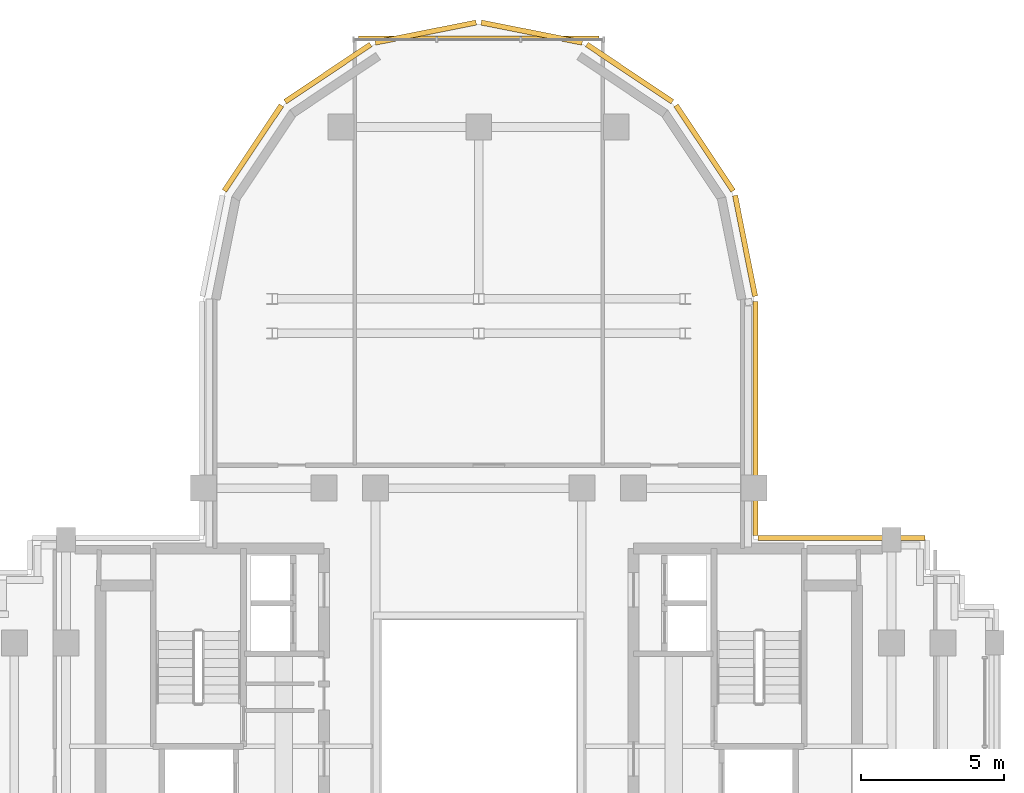
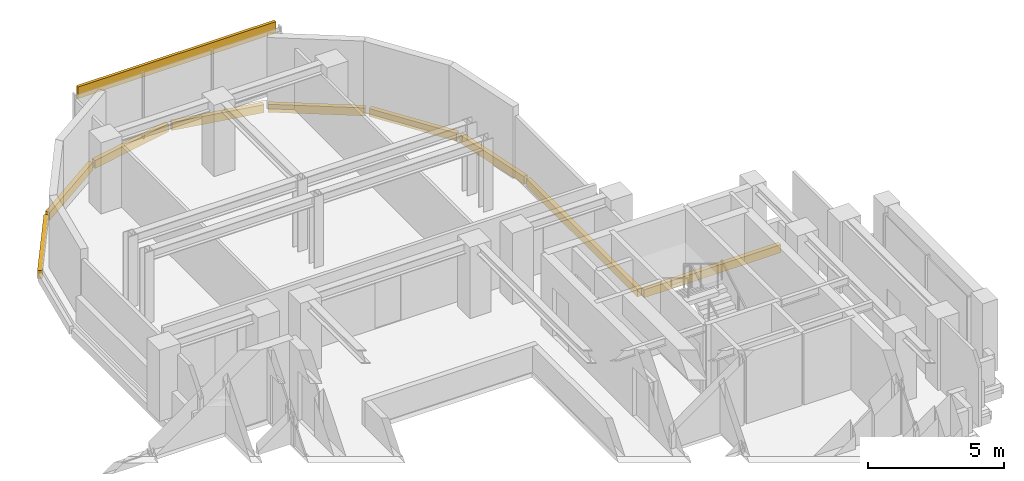
# One storey, part 11 of 11: 10 coverings.
"""IFC4 building model written with IfcOpenShell, lengths in metres."""

from ifc_helpers import new_model, si_unit, direction, frame, origin, origin_2d, place, context, subcontext, project, spatial, rectangle, extrude, source, transform, mapped, material, layer, layer_set, type_object, element, save


model = new_model("IFC4")

# Units and contexts
model_context = context("Model", 3, precision=1e-05, world=origin(), true_north=direction((0.0, 1.0)))
body_context = subcontext(model_context, "Body", "Model", "MODEL_VIEW")
ifc_project = project(units=[si_unit("LENGTHUNIT", "METRE"), si_unit("AREAUNIT", "SQUARE_METRE"), si_unit("VOLUMEUNIT", "CUBIC_METRE"), si_unit("PLANEANGLEUNIT", "RADIAN"), si_unit("MASSUNIT", "GRAM", prefix="KILO")], contexts=[model_context])

# Site, building, storey
site_placement = place(None, origin())
site = spatial("IfcSite", under=ifc_project, at=site_placement, CompositionType="ELEMENT")
building_placement = place(site_placement, origin())
building = spatial("IfcBuilding", under=site, at=building_placement, Name="Keilestroom Media Tower", CompositionType="ELEMENT")
storey_placement = place(building_placement, frame((0.0, 0.0, 180.800048828125)))
storey = spatial("IfcBuildingStorey", under=building, at=storey_placement, Name="L49", CompositionType="ELEMENT", Elevation=180.800048828125)

# Coverings
ifc_material = material(Name="Precast concrete C40/50", Category="concrete")
ifc_layer = layer(ifc_material, 0.1201171875)
ifc_layer_set = layer_set([ifc_layer], Name="Precast concrete C40/50")
covering_type = type_object("IfcCoveringType", Name="Exterior-Precast-Spandrel-Cladding-Panel-120", PredefinedType="CLADDING", material=ifc_layer_set)
shared_shape_1 = source(origin(), body_context, "Body", "SweptSolid", [
    extrude(rectangle(XDim=8.39990234375, YDim=0.1201171875, at=origin_2d()), origin(), (0.0, 0.0, 1.0), 0.52001953125),
])
covering_1_placement = place(storey_placement, frame((0.0, 24.719970703125, 2.68994140625), z_axis=(0.0, 0.0, 1.0), x_axis=(1.0, 0.0, 0.0)))
element("IfcCovering", 1, at=covering_1_placement, inside=storey, type_object=covering_type, Name="L49 Precast Spandrel Cladding N", PredefinedType="CLADDING", context=body_context, shape_type="MappedRepresentation", body=[
    mapped(shared_shape_1, transform((0.0, 0.0, 0.0), x_axis=(1.0, 0.0, 0.0), y_axis=(0.0, 1.0, 0.0), z_axis=(0.0, 0.0, 1.0), scale=1.0)),
])
shared_shape_2 = source(origin(), body_context, "Body", "SweptSolid", [
    extrude(rectangle(XDim=8.166015625, YDim=0.179931640625, at=origin_2d()), origin(), (0.0, 0.0, 1.0), 0.360107421875),
])
covering_2_placement = place(storey_placement, frame((9.659912109375, 11.43310546875, -0.5400390625), z_axis=(0.0, 0.0, 1.0), x_axis=(0.0, -1.0, 0.0)))
element("IfcCovering", 2, at=covering_2_placement, inside=storey, type_object=covering_type, Name="L49 Precast Slab-Edge Fascia Cornice 36", PredefinedType="CLADDING", context=body_context, shape_type="MappedRepresentation", body=[
    mapped(shared_shape_2, transform((0.0, 0.0, 0.0), x_axis=(1.0, 0.0, 0.0), y_axis=(0.0, 1.0, 0.0), z_axis=(0.0, 0.0, 1.0), scale=1.0)),
])
shared_shape_3 = source(origin(), body_context, "Body", "SweptSolid", [
    extrude(rectangle(XDim=3.58349609375, YDim=0.179931640625, at=origin_2d()), origin(), (0.0, 0.0, 1.0), 0.360107421875),
])
covering_3_placement = place(storey_placement, frame((9.29296875, 17.45166015625, -0.5400390625), z_axis=(0.0, 0.0, 1.0), x_axis=(0.195098880975, -0.980783577882, 0.0)))
element("IfcCovering", 3, at=covering_3_placement, inside=storey, type_object=covering_type, Name="L49 Precast Slab-Edge Fascia Cornice 35", PredefinedType="CLADDING", context=body_context, shape_type="MappedRepresentation", body=[
    mapped(shared_shape_3, transform((0.0, 0.0, 0.0), x_axis=(1.0, 0.0, 0.0), y_axis=(0.0, 1.0, 0.0), z_axis=(0.0, 0.0, 1.0), scale=1.0)),
])
shared_shape_4 = source(origin(), body_context, "Body", "SweptSolid", [
    extrude(rectangle(XDim=3.589599609375, YDim=0.179931640625, at=origin_2d()), origin(), (0.0, 0.0, 1.0), 0.360107421875),
])
for number, where, z_axis, x_axis, name in (
    (4, (-7.878662109375, 20.8642578125, -0.5400390625), (0.0, 0.0, 1.0), (0.555574586577, 0.831466703332, 0.0), "L49 Precast Slab-Edge Fascia Cornice 29"),
    (5, (-5.264404296875, 23.478515625, -0.5400390625), (0.0, 0.0, 1.0), (0.831466703332, 0.555574586577, 0.0), "L49 Precast Slab-Edge Fascia Cornice 30"),
    (6, (-1.8486328125, 24.893310546875, -0.5400390625), (0.0, 0.0, 1.0), (0.980783577882, 0.195098880975, 0.0), "L49 Precast Slab-Edge Fascia Cornice 31"),
    (7, (1.8486328125, 24.893310546875, -0.5400390625), (0.0, 0.0, 1.0), (0.980783577882, -0.195098880975, 0.0), "L49 Precast Slab-Edge Fascia Cornice 32"),
    (8, (5.264404296875, 23.478515625, -0.5400390625), (0.0, 0.0, 1.0), (0.831466703332, -0.555574586577, 0.0), "L49 Precast Slab-Edge Fascia Cornice 33"),
    (9, (7.878662109375, 20.8642578125, -0.5400390625), (0.0, 0.0, 1.0), (0.555574586577, -0.831466703332, 0.0), "L49 Precast Slab-Edge Fascia Cornice 34"),
):
    element("IfcCovering", number, at=place(storey_placement, frame(where, z_axis=z_axis, x_axis=x_axis)), inside=storey, type_object=covering_type, Name=name, PredefinedType="CLADDING", context=body_context, shape_type="MappedRepresentation", body=[
        mapped(shared_shape_4, transform((0.0, 0.0, 0.0), x_axis=(1.0, 0.0, 0.0), y_axis=(0.0, 1.0, 0.0), z_axis=(0.0, 0.0, 1.0), scale=1.0)),
    ])
shared_shape_5 = source(origin(), body_context, "Body", "SweptSolid", [
    extrude(rectangle(XDim=5.820068359375, YDim=0.179931640625, at=origin_2d()), origin(), (0.0, 0.0, 1.0), 0.360107421875),
])
covering_4_placement = place(storey_placement, frame((12.659912109375, 7.260009765625, -0.5400390625), z_axis=(0.0, 0.0, 1.0), x_axis=(1.0, 0.0, 0.0)))
element("IfcCovering", 10, at=covering_4_placement, inside=storey, type_object=covering_type, Name="L49 Precast Slab-Edge Fascia Cornice 37", PredefinedType="CLADDING", context=body_context, shape_type="MappedRepresentation", body=[
    mapped(shared_shape_5, transform((0.0, 0.0, 0.0), x_axis=(1.0, 0.0, 0.0), y_axis=(0.0, 1.0, 0.0), z_axis=(0.0, 0.0, 1.0), scale=1.0)),
])

save(model, "model.ifc")
